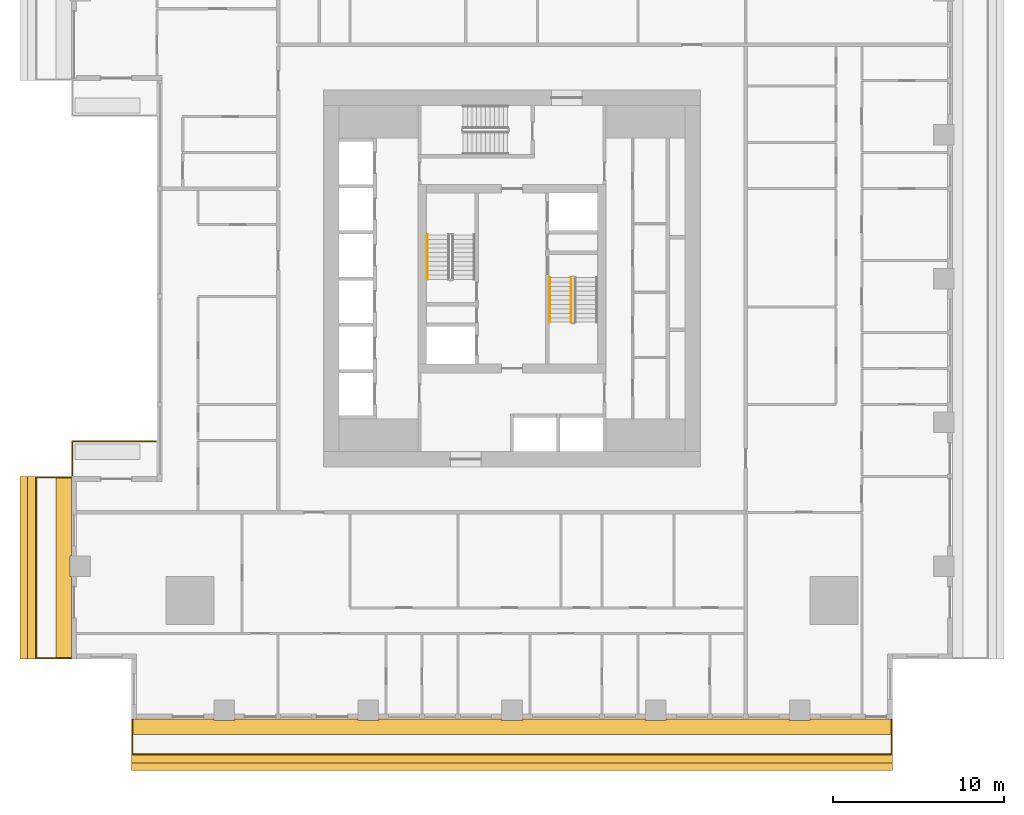
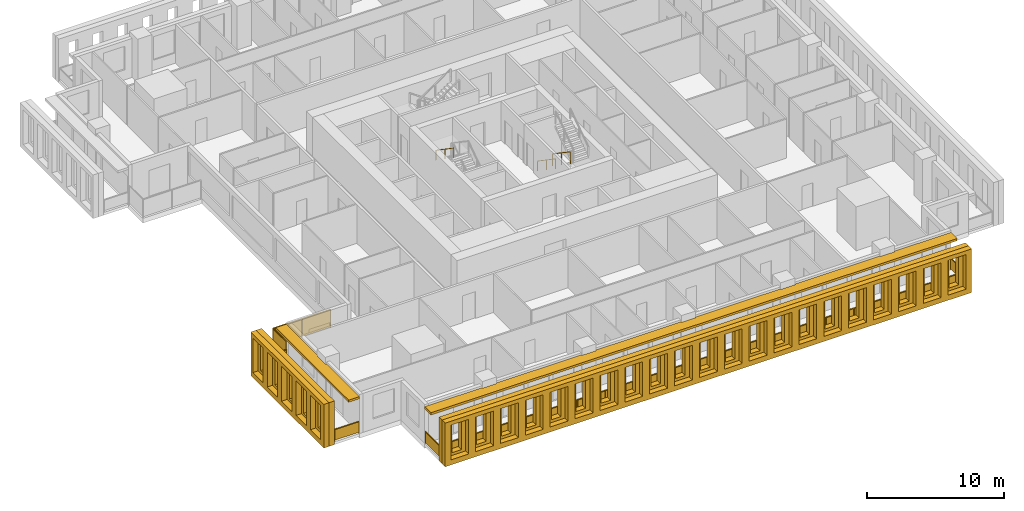
# One storey, part 10 of 14: 6 railings, 6 shading devices.
"""IFC4 building model written with IfcOpenShell, lengths in metres."""

from ifc_helpers import new_model, si_unit, direction, frame, origin, origin_2d, place, context, subcontext, project, spatial, polyline, rectangle, outline, extrude, material, layer, layer_set, type_object, element, save


model = new_model("IFC4")

# Units and contexts
model_context = context("Model", 3, precision=1e-05, world=origin(), true_north=direction((0.0, 1.0)))
body_context = subcontext(model_context, "Body", "Model", "MODEL_VIEW")
ifc_project = project(units=[si_unit("LENGTHUNIT", "METRE"), si_unit("AREAUNIT", "SQUARE_METRE"), si_unit("VOLUMEUNIT", "CUBIC_METRE"), si_unit("PLANEANGLEUNIT", "RADIAN"), si_unit("MASSUNIT", "GRAM", prefix="KILO")], contexts=[model_context])

# Site, building, storey
site_placement = place(None, origin())
site = spatial("IfcSite", under=ifc_project, at=site_placement, CompositionType="ELEMENT")
building_placement = place(site_placement, origin())
building = spatial("IfcBuilding", under=site, at=building_placement, Name="Khepri Terraces", CompositionType="ELEMENT")
storey_placement = place(building_placement, frame((0.0, 0.0, 110.39990234375)))
storey = spatial("IfcBuildingStorey", under=building, at=storey_placement, Name="L26", CompositionType="ELEMENT", Elevation=110.39990234375)

# Railings
ifc_material_1 = material(Name="Stainless steel grade 316", Category="steel")
railing_type_1 = type_object("IfcRailingType", Name="GRD-BAL-1100", PredefinedType="GUARDRAIL", material=ifc_material_1)
railing_1_placement = place(storey_placement, frame((-22.169921875, -25.719970703125, 0.0)))
element("IfcRailing", 1, at=railing_1_placement, inside=storey, type_object=railing_type_1, Name="Balcony guard L26 S", PredefinedType="GUARDRAIL", context=body_context, shape_type="SweptSolid", body=[
    extrude(rectangle(XDim=0.050048828125, YDim=0.06005859375, at=origin_2d()), frame((0.0, 0.0, 1.070068359375), z_axis=(0.0, -1.0, 0.0), x_axis=(1.0, 0.0, 0.0)), (0.0, 0.0, 1.0), 2.050048828125),
    extrude(rectangle(XDim=2.0, YDim=0.011962890625, at=origin_2d()), frame((0.0, -1.02490234375, 0.10009765625), z_axis=(0.0, 0.0, 1.0), x_axis=(0.0, -1.0, 0.0)), (0.0, 0.0, 1.0), 0.93994140625),
    extrude(rectangle(XDim=0.050048828125, YDim=0.06005859375, at=origin_2d()), frame((0.0, -2.050048828125, 1.070068359375), z_axis=(1.0, 0.0, 0.0), x_axis=(0.0, 1.0, 0.0)), (0.0, 0.0, 1.0), 44.33984375),
    extrude(rectangle(XDim=2.28369140625, YDim=0.011962890625, at=origin_2d()), frame((1.166748046875, -2.050048828125, 0.10009765625), z_axis=(0.0, 0.0, 1.0), x_axis=(1.0, 0.0, 0.0)), (0.0, 0.0, 1.0), 0.93994140625),
    extrude(rectangle(XDim=2.28369140625, YDim=0.011962890625, at=origin_2d()), frame((3.50048828125, -2.050048828125, 0.10009765625), z_axis=(0.0, 0.0, 1.0), x_axis=(1.0, 0.0, 0.0)), (0.0, 0.0, 1.0), 0.93994140625),
    extrude(rectangle(XDim=2.28369140625, YDim=0.011962890625, at=origin_2d()), frame((5.834228515625, -2.050048828125, 0.10009765625), z_axis=(0.0, 0.0, 1.0), x_axis=(1.0, 0.0, 0.0)), (0.0, 0.0, 1.0), 0.93994140625),
    extrude(rectangle(XDim=2.28369140625, YDim=0.011962890625, at=origin_2d()), frame((8.16796875, -2.050048828125, 0.10009765625), z_axis=(0.0, 0.0, 1.0), x_axis=(1.0, 0.0, 0.0)), (0.0, 0.0, 1.0), 0.93994140625),
    extrude(rectangle(XDim=2.28369140625, YDim=0.011962890625, at=origin_2d()), frame((10.50146484375, -2.050048828125, 0.10009765625), z_axis=(0.0, 0.0, 1.0), x_axis=(1.0, 0.0, 0.0)), (0.0, 0.0, 1.0), 0.93994140625),
    extrude(rectangle(XDim=2.28369140625, YDim=0.011962890625, at=origin_2d()), frame((12.835205078125, -2.050048828125, 0.10009765625), z_axis=(0.0, 0.0, 1.0), x_axis=(1.0, 0.0, 0.0)), (0.0, 0.0, 1.0), 0.93994140625),
    extrude(rectangle(XDim=2.28369140625, YDim=0.011962890625, at=origin_2d()), frame((15.1689453125, -2.050048828125, 0.10009765625), z_axis=(0.0, 0.0, 1.0), x_axis=(1.0, 0.0, 0.0)), (0.0, 0.0, 1.0), 0.93994140625),
    extrude(rectangle(XDim=2.28369140625, YDim=0.011962890625, at=origin_2d()), frame((17.502685546875, -2.050048828125, 0.10009765625), z_axis=(0.0, 0.0, 1.0), x_axis=(1.0, 0.0, 0.0)), (0.0, 0.0, 1.0), 0.93994140625),
    extrude(rectangle(XDim=2.28369140625, YDim=0.011962890625, at=origin_2d()), frame((19.836181640625, -2.050048828125, 0.10009765625), z_axis=(0.0, 0.0, 1.0), x_axis=(1.0, 0.0, 0.0)), (0.0, 0.0, 1.0), 0.93994140625),
    extrude(rectangle(XDim=2.28369140625, YDim=0.011962890625, at=origin_2d()), frame((22.169921875, -2.050048828125, 0.10009765625), z_axis=(0.0, 0.0, 1.0), x_axis=(1.0, 0.0, 0.0)), (0.0, 0.0, 1.0), 0.93994140625),
    extrude(rectangle(XDim=2.28369140625, YDim=0.011962890625, at=origin_2d()), frame((24.503662109375, -2.050048828125, 0.10009765625), z_axis=(0.0, 0.0, 1.0), x_axis=(1.0, 0.0, 0.0)), (0.0, 0.0, 1.0), 0.93994140625),
    extrude(rectangle(XDim=2.28369140625, YDim=0.011962890625, at=origin_2d()), frame((26.837158203125, -2.050048828125, 0.10009765625), z_axis=(0.0, 0.0, 1.0), x_axis=(1.0, 0.0, 0.0)), (0.0, 0.0, 1.0), 0.93994140625),
    extrude(rectangle(XDim=2.28369140625, YDim=0.011962890625, at=origin_2d()), frame((29.1708984375, -2.050048828125, 0.10009765625), z_axis=(0.0, 0.0, 1.0), x_axis=(1.0, 0.0, 0.0)), (0.0, 0.0, 1.0), 0.93994140625),
    extrude(rectangle(XDim=2.28369140625, YDim=0.011962890625, at=origin_2d()), frame((31.504638671875, -2.050048828125, 0.10009765625), z_axis=(0.0, 0.0, 1.0), x_axis=(1.0, 0.0, 0.0)), (0.0, 0.0, 1.0), 0.93994140625),
    extrude(rectangle(XDim=2.28369140625, YDim=0.011962890625, at=origin_2d()), frame((33.83837890625, -2.050048828125, 0.10009765625), z_axis=(0.0, 0.0, 1.0), x_axis=(1.0, 0.0, 0.0)), (0.0, 0.0, 1.0), 0.93994140625),
    extrude(rectangle(XDim=2.28369140625, YDim=0.011962890625, at=origin_2d()), frame((36.171875, -2.050048828125, 0.10009765625), z_axis=(0.0, 0.0, 1.0), x_axis=(1.0, 0.0, 0.0)), (0.0, 0.0, 1.0), 0.93994140625),
    extrude(rectangle(XDim=2.28369140625, YDim=0.011962890625, at=origin_2d()), frame((38.505615234375, -2.050048828125, 0.10009765625), z_axis=(0.0, 0.0, 1.0), x_axis=(1.0, 0.0, 0.0)), (0.0, 0.0, 1.0), 0.93994140625),
    extrude(rectangle(XDim=2.28369140625, YDim=0.011962890625, at=origin_2d()), frame((40.83935546875, -2.050048828125, 0.10009765625), z_axis=(0.0, 0.0, 1.0), x_axis=(1.0, 0.0, 0.0)), (0.0, 0.0, 1.0), 0.93994140625),
    extrude(rectangle(XDim=2.28369140625, YDim=0.011962890625, at=origin_2d()), frame((43.173095703125, -2.050048828125, 0.10009765625), z_axis=(0.0, 0.0, 1.0), x_axis=(1.0, 0.0, 0.0)), (0.0, 0.0, 1.0), 0.93994140625),
    extrude(rectangle(XDim=0.050048828125, YDim=0.06005859375, at=origin_2d()), frame((44.33984375, -2.050048828125, 1.070068359375), z_axis=(0.0, 1.0, 0.0), x_axis=(-1.0, 0.0, 0.0)), (0.0, 0.0, 1.0), 2.050048828125),
    extrude(rectangle(XDim=2.0, YDim=0.011962890625, at=origin_2d()), frame((44.33984375, -1.02490234375, 0.10009765625), z_axis=(0.0, 0.0, 1.0), x_axis=(0.0, 1.0, 0.0)), (0.0, 0.0, 1.0), 0.93994140625),
    extrude(rectangle(XDim=0.050048828125, YDim=0.050048828125, at=origin_2d()), origin(), (0.0, 0.0, 1.0), 1.0400390625),
    extrude(rectangle(XDim=0.050048828125, YDim=0.050048828125, at=origin_2d()), frame((0.0, -2.050048828125, 0.0)), (0.0, 0.0, 1.0), 1.0400390625),
    extrude(rectangle(XDim=0.050048828125, YDim=0.050048828125, at=origin_2d()), frame((2.333740234375, -2.050048828125, 0.0)), (0.0, 0.0, 1.0), 1.0400390625),
    extrude(rectangle(XDim=0.050048828125, YDim=0.050048828125, at=origin_2d()), frame((4.667236328125, -2.050048828125, 0.0)), (0.0, 0.0, 1.0), 1.0400390625),
    extrude(rectangle(XDim=0.050048828125, YDim=0.050048828125, at=origin_2d()), frame((7.0009765625, -2.050048828125, 0.0)), (0.0, 0.0, 1.0), 1.0400390625),
    extrude(rectangle(XDim=0.050048828125, YDim=0.050048828125, at=origin_2d()), frame((9.334716796875, -2.050048828125, 0.0)), (0.0, 0.0, 1.0), 1.0400390625),
    extrude(rectangle(XDim=0.050048828125, YDim=0.050048828125, at=origin_2d()), frame((11.66845703125, -2.050048828125, 0.0)), (0.0, 0.0, 1.0), 1.0400390625),
    extrude(rectangle(XDim=0.050048828125, YDim=0.050048828125, at=origin_2d()), frame((14.001953125, -2.050048828125, 0.0)), (0.0, 0.0, 1.0), 1.0400390625),
    extrude(rectangle(XDim=0.050048828125, YDim=0.050048828125, at=origin_2d()), frame((16.335693359375, -2.050048828125, 0.0)), (0.0, 0.0, 1.0), 1.0400390625),
    extrude(rectangle(XDim=0.050048828125, YDim=0.050048828125, at=origin_2d()), frame((18.66943359375, -2.050048828125, 0.0)), (0.0, 0.0, 1.0), 1.0400390625),
    extrude(rectangle(XDim=0.050048828125, YDim=0.050048828125, at=origin_2d()), frame((21.003173828125, -2.050048828125, 0.0)), (0.0, 0.0, 1.0), 1.0400390625),
    extrude(rectangle(XDim=0.050048828125, YDim=0.050048828125, at=origin_2d()), frame((23.336669921875, -2.050048828125, 0.0)), (0.0, 0.0, 1.0), 1.0400390625),
    extrude(rectangle(XDim=0.050048828125, YDim=0.050048828125, at=origin_2d()), frame((25.67041015625, -2.050048828125, 0.0)), (0.0, 0.0, 1.0), 1.0400390625),
    extrude(rectangle(XDim=0.050048828125, YDim=0.050048828125, at=origin_2d()), frame((28.004150390625, -2.050048828125, 0.0)), (0.0, 0.0, 1.0), 1.0400390625),
    extrude(rectangle(XDim=0.050048828125, YDim=0.050048828125, at=origin_2d()), frame((30.337890625, -2.050048828125, 0.0)), (0.0, 0.0, 1.0), 1.0400390625),
    extrude(rectangle(XDim=0.050048828125, YDim=0.050048828125, at=origin_2d()), frame((32.67138671875, -2.050048828125, 0.0)), (0.0, 0.0, 1.0), 1.0400390625),
    extrude(rectangle(XDim=0.050048828125, YDim=0.050048828125, at=origin_2d()), frame((35.005126953125, -2.050048828125, 0.0)), (0.0, 0.0, 1.0), 1.0400390625),
    extrude(rectangle(XDim=0.050048828125, YDim=0.050048828125, at=origin_2d()), frame((37.3388671875, -2.050048828125, 0.0)), (0.0, 0.0, 1.0), 1.0400390625),
    extrude(rectangle(XDim=0.050048828125, YDim=0.050048828125, at=origin_2d()), frame((39.672607421875, -2.050048828125, 0.0)), (0.0, 0.0, 1.0), 1.0400390625),
    extrude(rectangle(XDim=0.050048828125, YDim=0.050048828125, at=origin_2d()), frame((42.006103515625, -2.050048828125, 0.0)), (0.0, 0.0, 1.0), 1.0400390625),
    extrude(rectangle(XDim=0.050048828125, YDim=0.050048828125, at=origin_2d()), frame((44.33984375, -2.050048828125, 0.0)), (0.0, 0.0, 1.0), 1.0400390625),
    extrude(rectangle(XDim=0.050048828125, YDim=0.050048828125, at=origin_2d()), frame((44.33984375, 0.0, 0.0)), (0.0, 0.0, 1.0), 1.0400390625),
])
railing_2_placement = place(storey_placement, frame((-25.719970703125, -11.60009765625, 0.0)))
element("IfcRailing", 2, at=railing_2_placement, inside=storey, type_object=railing_type_1, Name="Balcony guard L26 W", PredefinedType="GUARDRAIL", context=body_context, shape_type="SweptSolid", body=[
    extrude(rectangle(XDim=0.050048828125, YDim=0.06005859375, at=origin_2d()), frame((0.0, 0.0, 1.070068359375), z_axis=(-1.0, 0.0, 0.0), x_axis=(0.0, -1.0, 0.0)), (0.0, 0.0, 1.0), 2.050048828125),
    extrude(rectangle(XDim=2.0, YDim=0.011962890625, at=origin_2d()), frame((-1.02490234375, 0.0, 0.10009765625), z_axis=(0.0, 0.0, 1.0), x_axis=(-1.0, 0.0, 0.0)), (0.0, 0.0, 1.0), 0.93994140625),
    extrude(rectangle(XDim=0.050048828125, YDim=0.06005859375, at=origin_2d()), frame((-2.050048828125, 0.0, 1.070068359375), z_axis=(0.0, -1.0, 0.0), x_axis=(1.0, 0.0, 0.0)), (0.0, 0.0, 1.0), 10.56982421875),
    extrude(rectangle(XDim=2.06396484375, YDim=0.011962890625, at=origin_2d()), frame((-2.050048828125, -1.056884765625, 0.10009765625), z_axis=(0.0, 0.0, 1.0), x_axis=(0.0, -1.0, 0.0)), (0.0, 0.0, 1.0), 0.93994140625),
    extrude(rectangle(XDim=2.06396484375, YDim=0.011962890625, at=origin_2d()), frame((-2.050048828125, -3.1708984375, 0.10009765625), z_axis=(0.0, 0.0, 1.0), x_axis=(0.0, -1.0, 0.0)), (0.0, 0.0, 1.0), 0.93994140625),
    extrude(rectangle(XDim=2.06396484375, YDim=0.011962890625, at=origin_2d()), frame((-2.050048828125, -5.284912109375, 0.10009765625), z_axis=(0.0, 0.0, 1.0), x_axis=(0.0, -1.0, 0.0)), (0.0, 0.0, 1.0), 0.93994140625),
    extrude(rectangle(XDim=2.06396484375, YDim=0.011962890625, at=origin_2d()), frame((-2.050048828125, -7.39892578125, 0.10009765625), z_axis=(0.0, 0.0, 1.0), x_axis=(0.0, -1.0, 0.0)), (0.0, 0.0, 1.0), 0.93994140625),
    extrude(rectangle(XDim=2.06396484375, YDim=0.011962890625, at=origin_2d()), frame((-2.050048828125, -9.512939453125, 0.10009765625), z_axis=(0.0, 0.0, 1.0), x_axis=(0.0, -1.0, 0.0)), (0.0, 0.0, 1.0), 0.93994140625),
    extrude(rectangle(XDim=0.050048828125, YDim=0.06005859375, at=origin_2d()), frame((-2.050048828125, -10.56982421875, 1.070068359375), z_axis=(1.0, 0.0, 0.0), x_axis=(0.0, 1.0, 0.0)), (0.0, 0.0, 1.0), 2.050048828125),
    extrude(rectangle(XDim=2.0, YDim=0.011962890625, at=origin_2d()), frame((-1.02490234375, -10.56982421875, 0.10009765625), z_axis=(0.0, 0.0, 1.0), x_axis=(1.0, 0.0, 0.0)), (0.0, 0.0, 1.0), 0.93994140625),
    extrude(rectangle(XDim=0.050048828125, YDim=0.050048828125, at=origin_2d()), origin(), (0.0, 0.0, 1.0), 1.0400390625),
    extrude(rectangle(XDim=0.050048828125, YDim=0.050048828125, at=origin_2d()), frame((-2.050048828125, 0.0, 0.0)), (0.0, 0.0, 1.0), 1.0400390625),
    extrude(rectangle(XDim=0.050048828125, YDim=0.050048828125, at=origin_2d()), frame((-2.050048828125, -2.114013671875, 0.0)), (0.0, 0.0, 1.0), 1.0400390625),
    extrude(rectangle(XDim=0.050048828125, YDim=0.050048828125, at=origin_2d()), frame((-2.050048828125, -4.22802734375, 0.0)), (0.0, 0.0, 1.0), 1.0400390625),
    extrude(rectangle(XDim=0.050048828125, YDim=0.050048828125, at=origin_2d()), frame((-2.050048828125, -6.341796875, 0.0)), (0.0, 0.0, 1.0), 1.0400390625),
    extrude(rectangle(XDim=0.050048828125, YDim=0.050048828125, at=origin_2d()), frame((-2.050048828125, -8.455810546875, 0.0)), (0.0, 0.0, 1.0), 1.0400390625),
    extrude(rectangle(XDim=0.050048828125, YDim=0.050048828125, at=origin_2d()), frame((-2.050048828125, -10.56982421875, 0.0)), (0.0, 0.0, 1.0), 1.0400390625),
    extrude(rectangle(XDim=0.050048828125, YDim=0.050048828125, at=origin_2d()), frame((0.0, -10.56982421875, 0.0)), (0.0, 0.0, 1.0), 1.0400390625),
])
railing_type_2 = type_object("IfcRailingType", Name="GRD-TERR-1700", PredefinedType="GUARDRAIL", material=ifc_material_1)
railing_3_placement = place(storey_placement, frame((-25.669921875, -11.47998046875, 0.0)))
element("IfcRailing", 3, at=railing_3_placement, inside=storey, type_object=railing_type_2, Name="Terrace guard L26", PredefinedType="GUARDRAIL", context=body_context, shape_type="SweptSolid", body=[
    extrude(rectangle(XDim=0.050048828125, YDim=0.06005859375, at=origin_2d()), frame((0.0, 0.0, 1.669921875), z_axis=(0.0, 1.0, 0.0), x_axis=(-1.0, 0.0, 0.0)), (0.0, 0.0, 1.0), 1.97998046875),
    extrude(rectangle(XDim=1.929931640625, YDim=0.011962890625, at=origin_2d()), frame((0.0, 0.989990234375, 0.10009765625), z_axis=(0.0, 0.0, 1.0), x_axis=(0.0, 1.0, 0.0)), (0.0, 0.0, 1.0), 1.539794921875),
    extrude(rectangle(XDim=0.050048828125, YDim=0.06005859375, at=origin_2d()), frame((0.0, 1.97998046875, 1.669921875), z_axis=(1.0, 0.0, 0.0), x_axis=(0.0, 1.0, 0.0)), (0.0, 0.0, 1.0), 4.8798828125),
    extrude(rectangle(XDim=2.389892578125, YDim=0.011962890625, at=origin_2d()), frame((1.219970703125, 1.97998046875, 0.10009765625), z_axis=(0.0, 0.0, 1.0), x_axis=(1.0, 0.0, 0.0)), (0.0, 0.0, 1.0), 1.539794921875),
    extrude(rectangle(XDim=2.389892578125, YDim=0.011962890625, at=origin_2d()), frame((3.659912109375, 1.97998046875, 0.10009765625), z_axis=(0.0, 0.0, 1.0), x_axis=(1.0, 0.0, 0.0)), (0.0, 0.0, 1.0), 1.539794921875),
    extrude(rectangle(XDim=0.050048828125, YDim=0.050048828125, at=origin_2d()), origin(), (0.0, 0.0, 1.0), 1.639892578125),
    extrude(rectangle(XDim=0.050048828125, YDim=0.050048828125, at=origin_2d()), frame((0.0, 1.97998046875, 0.0)), (0.0, 0.0, 1.0), 1.639892578125),
    extrude(rectangle(XDim=0.050048828125, YDim=0.050048828125, at=origin_2d()), frame((2.43994140625, 1.97998046875, 0.0)), (0.0, 0.0, 1.0), 1.639892578125),
    extrude(rectangle(XDim=0.050048828125, YDim=0.050048828125, at=origin_2d()), frame((4.8798828125, 1.97998046875, 0.0)), (0.0, 0.0, 1.0), 1.639892578125),
])
ifc_material_2 = material(Name="Stainless steel 316", Category="steel")
railing_type_3 = type_object("IfcRailingType", Name="RL-CORE-GUARD", PredefinedType="GUARDRAIL", material=ifc_material_2)
railing_4_placement = place(storey_placement, frame((3.449951171875, 0.050048828125, 0.177490234375)))
element("IfcRailing", 4, at=railing_4_placement, inside=storey, type_object=railing_type_3, Name="L26 ST-2 stair guard 1", PredefinedType="GUARDRAIL", context=body_context, shape_type="SweptSolid", body=[
    extrude(rectangle(XDim=0.050048828125, YDim=0.06005859375, at=origin_2d()), frame((0.0, 0.0, 1.070068359375), z_axis=(0.0, -0.826240473404, 0.563317565952), x_axis=(1.0, 0.0, 0.0)), (0.0, 0.0, 1.0), 3.14697265625),
    extrude(rectangle(XDim=0.050048828125, YDim=0.050048828125, at=origin_2d()), origin(), (0.0, 0.0, 1.0), 1.0400390625),
    extrude(rectangle(XDim=0.050048828125, YDim=0.050048828125, at=origin_2d()), frame((0.0, -1.300048828125, 0.88623046875)), (0.0, 0.0, 1.0), 1.0400390625),
    extrude(rectangle(XDim=0.050048828125, YDim=0.050048828125, at=origin_2d()), frame((0.0, -2.60009765625, 1.772705078125)), (0.0, 0.0, 1.0), 1.0400390625),
])
railing_type_4 = type_object("IfcRailingType", Name="RL-CORE-HANDRAIL", PredefinedType="HANDRAIL", material=ifc_material_2)
for number, where, name in (
    (5, (-4.949951171875, 2.550048828125, 2.12744140625), "L26 ST-1 stair handrail 2"),
    (6, (2.199951171875, 0.050048828125, 0.177490234375), "L26 ST-2 stair handrail 1"),
):
    element("IfcRailing", number, at=place(storey_placement, frame(where)), inside=storey, type_object=railing_type_4, Name=name, PredefinedType="HANDRAIL", context=body_context, shape_type="SweptSolid", body=[
        extrude(rectangle(XDim=0.050048828125, YDim=0.050048828125, at=origin_2d()), frame((0.0, 0.0, 0.875), z_axis=(0.0, -0.826240473404, 0.563317565952), x_axis=(1.0, 0.0, 0.0)), (0.0, 0.0, 1.0), 3.14697265625),
        extrude(rectangle(XDim=0.050048828125, YDim=0.050048828125, at=origin_2d()), origin(), (0.0, 0.0, 1.0), 0.849853515625),
        extrude(rectangle(XDim=0.050048828125, YDim=0.050048828125, at=origin_2d()), frame((0.0, -1.300048828125, 0.88623046875)), (0.0, 0.0, 1.0), 0.849853515625),
        extrude(rectangle(XDim=0.050048828125, YDim=0.050048828125, at=origin_2d()), frame((0.0, -2.60009765625, 1.772705078125)), (0.0, 0.0, 1.0), 0.849853515625),
    ])

# Shading devices
ifc_material_3 = material(Name="Precast concrete C50/60 warm stone", Category="masonry")
shading_device_type_1 = type_object("IfcShadingDeviceType", Name="SCR-CELL-INNER-450", PredefinedType="USERDEFINED", material=ifc_material_3)
shading_device_1_placement = place(storey_placement, frame((-22.219970703125, -27.820068359375, -0.25), z_axis=(0.0, -1.0, 0.0), x_axis=(1.0, 0.0, 0.0)))
element("IfcShadingDevice", 7, at=shading_device_1_placement, inside=storey, type_object=shading_device_type_1, Name="Cell screen L26 S in", ObjectType="SCREEN", PredefinedType="USERDEFINED", context=body_context, shape_type="SweptSolid", body=[
    extrude(outline(polyline([(0.0, 0.0), (44.43994140625, 0.0), (44.43994140625, 3.89990234375), (0.0, 3.89990234375), (0.0, 0.0)]), holes=[polyline([(0.818359375, 0.699951171875), (1.62158203125, 0.699951171875), (1.62158203125, 3.300048828125), (0.818359375, 3.300048828125), (0.818359375, 0.699951171875)]), polyline([(2.91845703125, 0.699951171875), (3.7216796875, 0.699951171875), (3.7216796875, 3.300048828125), (2.91845703125, 3.300048828125), (2.91845703125, 0.699951171875)]), polyline([(5.018310546875, 0.699951171875), (5.821533203125, 0.699951171875), (5.821533203125, 3.300048828125), (5.018310546875, 3.300048828125), (5.018310546875, 0.699951171875)]), polyline([(7.118408203125, 0.699951171875), (7.921630859375, 0.699951171875), (7.921630859375, 3.300048828125), (7.118408203125, 3.300048828125), (7.118408203125, 0.699951171875)]), polyline([(9.218505859375, 0.699951171875), (10.021484375, 0.699951171875), (10.021484375, 3.300048828125), (9.218505859375, 3.300048828125), (9.218505859375, 0.699951171875)]), polyline([(11.318359375, 0.699951171875), (12.12158203125, 0.699951171875), (12.12158203125, 3.300048828125), (11.318359375, 3.300048828125), (11.318359375, 0.699951171875)]), polyline([(13.41845703125, 0.699951171875), (14.2216796875, 0.699951171875), (14.2216796875, 3.300048828125), (13.41845703125, 3.300048828125), (13.41845703125, 0.699951171875)]), polyline([(15.518310546875, 0.699951171875), (16.321533203125, 0.699951171875), (16.321533203125, 3.300048828125), (15.518310546875, 3.300048828125), (15.518310546875, 0.699951171875)]), polyline([(17.618408203125, 0.699951171875), (18.421630859375, 0.699951171875), (18.421630859375, 3.300048828125), (17.618408203125, 3.300048828125), (17.618408203125, 0.699951171875)]), polyline([(19.718505859375, 0.699951171875), (20.521484375, 0.699951171875), (20.521484375, 3.300048828125), (19.718505859375, 3.300048828125), (19.718505859375, 0.699951171875)]), polyline([(21.818359375, 0.699951171875), (22.62158203125, 0.699951171875), (22.62158203125, 3.300048828125), (21.818359375, 3.300048828125), (21.818359375, 0.699951171875)]), polyline([(23.91845703125, 0.699951171875), (24.7216796875, 0.699951171875), (24.7216796875, 3.300048828125), (23.91845703125, 3.300048828125), (23.91845703125, 0.699951171875)]), polyline([(26.018310546875, 0.699951171875), (26.821533203125, 0.699951171875), (26.821533203125, 3.300048828125), (26.018310546875, 3.300048828125), (26.018310546875, 0.699951171875)]), polyline([(28.118408203125, 0.699951171875), (28.921630859375, 0.699951171875), (28.921630859375, 3.300048828125), (28.118408203125, 3.300048828125), (28.118408203125, 0.699951171875)]), polyline([(30.218505859375, 0.699951171875), (31.021484375, 0.699951171875), (31.021484375, 3.300048828125), (30.218505859375, 3.300048828125), (30.218505859375, 0.699951171875)]), polyline([(32.318359375, 0.699951171875), (33.12158203125, 0.699951171875), (33.12158203125, 3.300048828125), (32.318359375, 3.300048828125), (32.318359375, 0.699951171875)]), polyline([(34.41845703125, 0.699951171875), (35.2216796875, 0.699951171875), (35.2216796875, 3.300048828125), (34.41845703125, 3.300048828125), (34.41845703125, 0.699951171875)]), polyline([(36.518310546875, 0.699951171875), (37.321533203125, 0.699951171875), (37.321533203125, 3.300048828125), (36.518310546875, 3.300048828125), (36.518310546875, 0.699951171875)]), polyline([(38.618408203125, 0.699951171875), (39.421630859375, 0.699951171875), (39.421630859375, 3.300048828125), (38.618408203125, 3.300048828125), (38.618408203125, 0.699951171875)]), polyline([(40.718505859375, 0.699951171875), (41.521484375, 0.699951171875), (41.521484375, 3.300048828125), (40.718505859375, 3.300048828125), (40.718505859375, 0.699951171875)]), polyline([(42.818359375, 0.699951171875), (43.62158203125, 0.699951171875), (43.62158203125, 3.300048828125), (42.818359375, 3.300048828125), (42.818359375, 0.699951171875)])]), origin(), (0.0, 0.0, 1.0), 0.449951171875),
])
shading_device_2_placement = place(storey_placement, frame((-27.820068359375, -11.550048828125, -0.25), z_axis=(-1.0, 0.0, 0.0), x_axis=(0.0, -1.0, 0.0)))
element("IfcShadingDevice", 8, at=shading_device_2_placement, inside=storey, type_object=shading_device_type_1, Name="Cell screen L26 W in", ObjectType="SCREEN", PredefinedType="USERDEFINED", context=body_context, shape_type="SweptSolid", body=[
    extrude(outline(polyline([(0.0, 0.0), (10.669921875, 0.0), (10.669921875, 3.89990234375), (0.0, 3.89990234375), (0.0, 0.0)]), holes=[polyline([(0.6484375, 0.699951171875), (1.45166015625, 0.699951171875), (1.45166015625, 3.300048828125), (0.6484375, 3.300048828125), (0.6484375, 0.699951171875)]), polyline([(2.748291015625, 0.699951171875), (3.551513671875, 0.699951171875), (3.551513671875, 3.300048828125), (2.748291015625, 3.300048828125), (2.748291015625, 0.699951171875)]), polyline([(4.848388671875, 0.699951171875), (5.651611328125, 0.699951171875), (5.651611328125, 3.300048828125), (4.848388671875, 3.300048828125), (4.848388671875, 0.699951171875)]), polyline([(6.948486328125, 0.699951171875), (7.751708984375, 0.699951171875), (7.751708984375, 3.300048828125), (6.948486328125, 3.300048828125), (6.948486328125, 0.699951171875)]), polyline([(9.04833984375, 0.699951171875), (9.8515625, 0.699951171875), (9.8515625, 3.300048828125), (9.04833984375, 3.300048828125), (9.04833984375, 0.699951171875)])]), origin(), (0.0, 0.0, 1.0), 0.449951171875),
])
shading_device_type_2 = type_object("IfcShadingDeviceType", Name="SCR-CELL-OUTER-450", PredefinedType="USERDEFINED", material=ifc_material_3)
shading_device_3_placement = place(storey_placement, frame((-22.219970703125, -28.27001953125, -0.25), z_axis=(0.0, -1.0, 0.0), x_axis=(1.0, 0.0, 0.0)))
element("IfcShadingDevice", 9, at=shading_device_3_placement, inside=storey, type_object=shading_device_type_2, Name="Cell screen L26 S out", ObjectType="SCREEN", PredefinedType="USERDEFINED", context=body_context, shape_type="SweptSolid", body=[
    extrude(outline(polyline([(0.0, 0.0), (44.43994140625, 0.0), (44.43994140625, 3.89990234375), (0.0, 3.89990234375), (0.0, 0.0)]), holes=[polyline([(0.468505859375, 0.449951171875), (1.9716796875, 0.449951171875), (1.9716796875, 3.550048828125), (0.468505859375, 3.550048828125), (0.468505859375, 0.449951171875)]), polyline([(2.568359375, 0.449951171875), (4.071533203125, 0.449951171875), (4.071533203125, 3.550048828125), (2.568359375, 3.550048828125), (2.568359375, 0.449951171875)]), polyline([(4.66845703125, 0.449951171875), (6.171630859375, 0.449951171875), (6.171630859375, 3.550048828125), (4.66845703125, 3.550048828125), (4.66845703125, 0.449951171875)]), polyline([(6.768310546875, 0.449951171875), (8.271484375, 0.449951171875), (8.271484375, 3.550048828125), (6.768310546875, 3.550048828125), (6.768310546875, 0.449951171875)]), polyline([(8.868408203125, 0.449951171875), (10.37158203125, 0.449951171875), (10.37158203125, 3.550048828125), (8.868408203125, 3.550048828125), (8.868408203125, 0.449951171875)]), polyline([(10.968505859375, 0.449951171875), (12.4716796875, 0.449951171875), (12.4716796875, 3.550048828125), (10.968505859375, 3.550048828125), (10.968505859375, 0.449951171875)]), polyline([(13.068359375, 0.449951171875), (14.571533203125, 0.449951171875), (14.571533203125, 3.550048828125), (13.068359375, 3.550048828125), (13.068359375, 0.449951171875)]), polyline([(15.16845703125, 0.449951171875), (16.671630859375, 0.449951171875), (16.671630859375, 3.550048828125), (15.16845703125, 3.550048828125), (15.16845703125, 0.449951171875)]), polyline([(17.268310546875, 0.449951171875), (18.771484375, 0.449951171875), (18.771484375, 3.550048828125), (17.268310546875, 3.550048828125), (17.268310546875, 0.449951171875)]), polyline([(19.368408203125, 0.449951171875), (20.87158203125, 0.449951171875), (20.87158203125, 3.550048828125), (19.368408203125, 3.550048828125), (19.368408203125, 0.449951171875)]), polyline([(21.468505859375, 0.449951171875), (22.9716796875, 0.449951171875), (22.9716796875, 3.550048828125), (21.468505859375, 3.550048828125), (21.468505859375, 0.449951171875)]), polyline([(23.568359375, 0.449951171875), (25.071533203125, 0.449951171875), (25.071533203125, 3.550048828125), (23.568359375, 3.550048828125), (23.568359375, 0.449951171875)]), polyline([(25.66845703125, 0.449951171875), (27.171630859375, 0.449951171875), (27.171630859375, 3.550048828125), (25.66845703125, 3.550048828125), (25.66845703125, 0.449951171875)]), polyline([(27.768310546875, 0.449951171875), (29.271484375, 0.449951171875), (29.271484375, 3.550048828125), (27.768310546875, 3.550048828125), (27.768310546875, 0.449951171875)]), polyline([(29.868408203125, 0.449951171875), (31.37158203125, 0.449951171875), (31.37158203125, 3.550048828125), (29.868408203125, 3.550048828125), (29.868408203125, 0.449951171875)]), polyline([(31.968505859375, 0.449951171875), (33.4716796875, 0.449951171875), (33.4716796875, 3.550048828125), (31.968505859375, 3.550048828125), (31.968505859375, 0.449951171875)]), polyline([(34.068359375, 0.449951171875), (35.571533203125, 0.449951171875), (35.571533203125, 3.550048828125), (34.068359375, 3.550048828125), (34.068359375, 0.449951171875)]), polyline([(36.16845703125, 0.449951171875), (37.671630859375, 0.449951171875), (37.671630859375, 3.550048828125), (36.16845703125, 3.550048828125), (36.16845703125, 0.449951171875)]), polyline([(38.268310546875, 0.449951171875), (39.771484375, 0.449951171875), (39.771484375, 3.550048828125), (38.268310546875, 3.550048828125), (38.268310546875, 0.449951171875)]), polyline([(40.368408203125, 0.449951171875), (41.87158203125, 0.449951171875), (41.87158203125, 3.550048828125), (40.368408203125, 3.550048828125), (40.368408203125, 0.449951171875)]), polyline([(42.468505859375, 0.449951171875), (43.9716796875, 0.449951171875), (43.9716796875, 3.550048828125), (42.468505859375, 3.550048828125), (42.468505859375, 0.449951171875)])]), origin(), (0.0, 0.0, 1.0), 0.449951171875),
])
shading_device_4_placement = place(storey_placement, frame((-28.27001953125, -11.550048828125, -0.25), z_axis=(-1.0, 0.0, 0.0), x_axis=(0.0, -1.0, 0.0)))
element("IfcShadingDevice", 10, at=shading_device_4_placement, inside=storey, type_object=shading_device_type_2, Name="Cell screen L26 W out", ObjectType="SCREEN", PredefinedType="USERDEFINED", context=body_context, shape_type="SweptSolid", body=[
    extrude(outline(polyline([(0.0, 0.0), (10.669921875, 0.0), (10.669921875, 3.89990234375), (0.0, 3.89990234375), (0.0, 0.0)]), holes=[polyline([(0.29833984375, 0.449951171875), (1.801513671875, 0.449951171875), (1.801513671875, 3.550048828125), (0.29833984375, 3.550048828125), (0.29833984375, 0.449951171875)]), polyline([(2.3984375, 0.449951171875), (3.901611328125, 0.449951171875), (3.901611328125, 3.550048828125), (2.3984375, 3.550048828125), (2.3984375, 0.449951171875)]), polyline([(4.498291015625, 0.449951171875), (6.001708984375, 0.449951171875), (6.001708984375, 3.550048828125), (4.498291015625, 3.550048828125), (4.498291015625, 0.449951171875)]), polyline([(6.598388671875, 0.449951171875), (8.1015625, 0.449951171875), (8.1015625, 3.550048828125), (6.598388671875, 3.550048828125), (6.598388671875, 0.449951171875)]), polyline([(8.698486328125, 0.449951171875), (10.20166015625, 0.449951171875), (10.20166015625, 3.550048828125), (8.698486328125, 3.550048828125), (8.698486328125, 0.449951171875)])]), origin(), (0.0, 0.0, 1.0), 0.449951171875),
])
ifc_layer = layer(ifc_material_3, 0.199951171875, Name="Precast concrete C50/60 warm stone", Category="masonry")
ifc_layer_set = layer_set([ifc_layer], Name="Precast concrete C50/60 warm stone")
shading_device_type_3 = type_object("IfcShadingDeviceType", Name="SSH-BAND-STONE-200", PredefinedType="USERDEFINED", material=ifc_layer_set)
shading_device_5_placement = place(storey_placement, frame((0.0, 0.0, 3.10009765625)))
element("IfcShadingDevice", 11, at=shading_device_5_placement, inside=storey, type_object=shading_device_type_3, Name="Sunshade band L26 S", ObjectType="SUNSHADE", PredefinedType="USERDEFINED", context=body_context, shape_type="SweptSolid", body=[
    extrude(outline(polyline([(-17.39990234375, -25.719970703125), (-22.219970703125, -25.719970703125), (-22.219970703125, -26.6201171875), (22.219970703125, -26.6201171875), (22.219970703125, -25.719970703125), (17.39990234375, -25.719970703125), (17.39990234375, -25.800048828125), (16.199951171875, -25.800048828125), (16.199951171875, -25.719970703125), (9.0, -25.719970703125), (9.0, -25.800048828125), (7.800048828125, -25.800048828125), (7.800048828125, -25.719970703125), (0.60009765625, -25.719970703125), (0.60009765625, -25.800048828125), (-0.60009765625, -25.800048828125), (-0.60009765625, -25.719970703125), (-7.800048828125, -25.719970703125), (-7.800048828125, -25.800048828125), (-9.0, -25.800048828125), (-9.0, -25.719970703125), (-16.199951171875, -25.719970703125), (-16.199951171875, -25.800048828125), (-17.39990234375, -25.800048828125), (-17.39990234375, -25.719970703125)])), origin(), (0.0, 0.0, 1.0), 0.199951171875),
])
shading_device_6_placement = place(storey_placement, frame((0.0, 0.0, 3.10009765625)))
element("IfcShadingDevice", 12, at=shading_device_6_placement, inside=storey, type_object=shading_device_type_3, Name="Sunshade band L26 W", ObjectType="SUNSHADE", PredefinedType="USERDEFINED", context=body_context, shape_type="SweptSolid", body=[
    extrude(outline(polyline([(-25.719970703125, -16.199951171875), (-25.719970703125, -11.550048828125), (-26.6201171875, -11.550048828125), (-26.6201171875, -22.219970703125), (-25.719970703125, -22.219970703125), (-25.719970703125, -17.39990234375), (-25.800048828125, -17.39990234375), (-25.800048828125, -16.199951171875), (-25.719970703125, -16.199951171875)])), origin(), (0.0, 0.0, 1.0), 0.199951171875),
])

save(model, "model.ifc")
